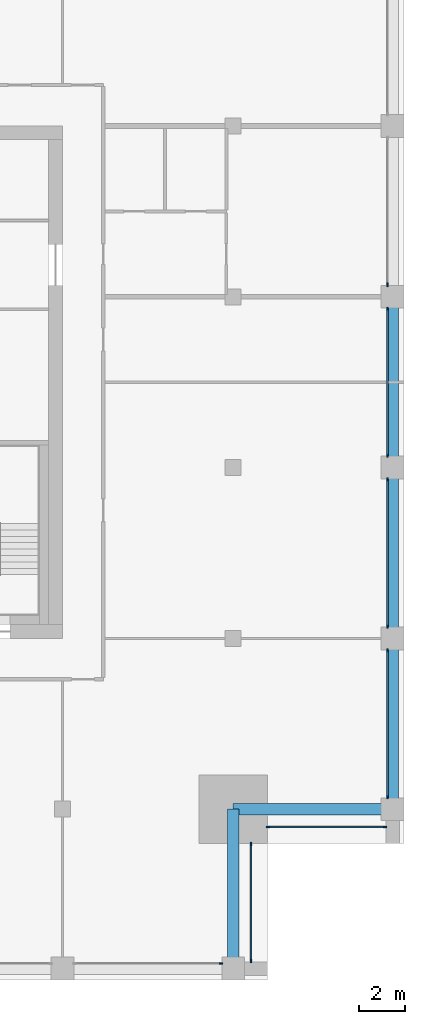
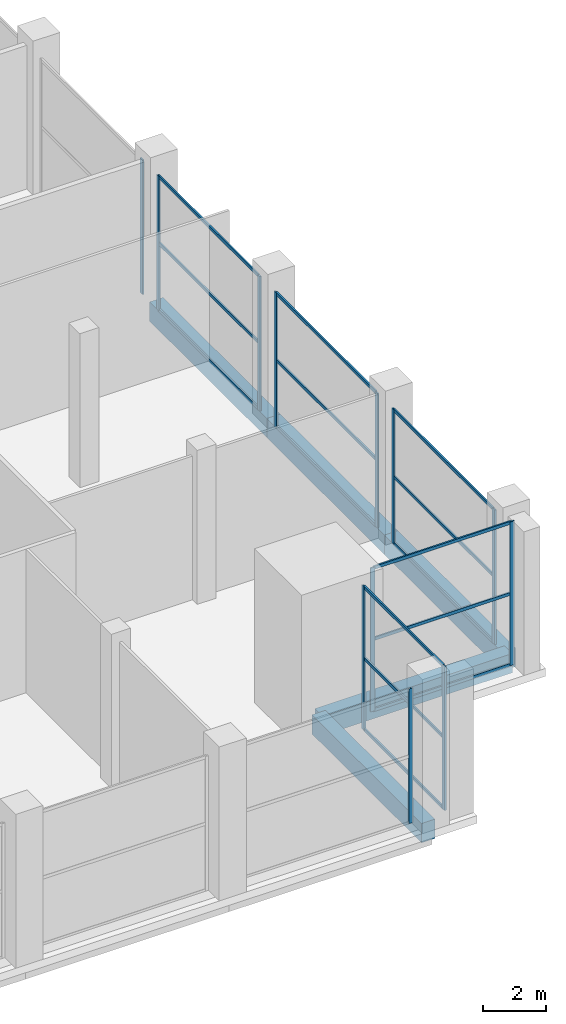
# One storey, part 4 of 15: 27 members, 5 beams, 7 elements without a shape of their own.
"""IFC4 building model written with IfcOpenShell, lengths in metres."""

from ifc_helpers import new_model, si_unit, direction, frame, origin, origin_2d, place, context, subcontext, project, spatial, rectangle, extrude, material, layer, layer_set, material_profile, profile_set, type_object, element, aggregate, save


model = new_model("IFC4")

# Units and contexts
model_context = context("Model", 3, precision=1e-05, world=origin(), true_north=direction((0.0, 1.0)))
body_context = subcontext(model_context, "Body", "Model", "MODEL_VIEW")
ifc_project = project(units=[si_unit("LENGTHUNIT", "METRE"), si_unit("AREAUNIT", "SQUARE_METRE"), si_unit("VOLUMEUNIT", "CUBIC_METRE"), si_unit("PLANEANGLEUNIT", "RADIAN"), si_unit("MASSUNIT", "GRAM", prefix="KILO")], contexts=[model_context])

# Site, building, storey
site_placement = place(None, origin())
site = spatial("IfcSite", under=ifc_project, at=site_placement, CompositionType="ELEMENT")
building_placement = place(site_placement, origin())
building = spatial("IfcBuilding", under=site, at=building_placement, Name="Tamorin Gate", CompositionType="ELEMENT")
storey_placement = place(building_placement, frame((0.0, 0.0, 308.699951171875)))
storey = spatial("IfcBuildingStorey", under=building, at=storey_placement, Name="L76", CompositionType="ELEMENT", Elevation=308.699951171875)

# Curtain wall, member
ifc_material_1 = material(Name="Aluminium mullions and transoms with clear glass", Category="aluminium")
ifc_layer = layer(ifc_material_1, 0.159912109375)
ifc_layer_set = layer_set([ifc_layer], Name="Curtain wall system CW4")
curtain_wall_type = type_object("IfcCurtainWallType", Name="Curtain wall system CW4", PredefinedType="NOTDEFINED", material=ifc_layer_set)
curtain_wall_1_placement = place(storey_placement, origin())
curtain_wall_1 = element("IfcCurtainWall", 1, at=curtain_wall_1_placement, inside=storey, type_object=curtain_wall_type, Name="Curtain wall", PredefinedType="NOTDEFINED")
ifc_material_2 = material(Name="Aluminium", Category="aluminium")
ifc_material_profile_1 = material_profile(ifc_material_2, rectangle(XDim=0.06005859375, YDim=0.159912109375, at=origin_2d()), Name="RECT 60x160")
ifc_profile_set_1 = profile_set([ifc_material_profile_1], Name="Aluminium")
member_type_1 = type_object("IfcMemberType", Name="Aluminium mullion 60x160", PredefinedType="MULLION", material=ifc_profile_set_1)
member_1_placement = place(storey_placement, frame((66.969970703125, 45.719970703125, 0.0), z_axis=(0.0, 0.0, 1.0), x_axis=(0.0, 1.0, 0.0)))
member_1 = element("IfcMember", 2, at=member_1_placement, type_object=member_type_1, Name="CW4 mullion 2", PredefinedType="MULLION", context=body_context, shape_type="SweptSolid", body=[
    extrude(rectangle(XDim=0.06005859375, YDim=0.159912109375, at=origin_2d()), origin(), (0.0, 0.0, 1.0), 5.25),
])
aggregate(curtain_wall_1, [member_1])

# Curtain wall, members
curtain_wall_2_placement = place(storey_placement, origin())
curtain_wall_2 = element("IfcCurtainWall", 3, at=curtain_wall_2_placement, inside=storey, type_object=curtain_wall_type, Name="Curtain wall", PredefinedType="NOTDEFINED")
member_2_placement = place(storey_placement, frame((68.280029296875, 45.830078125, 0.0), z_axis=(0.0, 0.0, 1.0), x_axis=(-1.0, 0.0, 0.0)))
member_2 = element("IfcMember", 4, at=member_2_placement, type_object=member_type_1, Name="CW4 mullion 1", PredefinedType="MULLION", context=body_context, shape_type="SweptSolid", body=[
    extrude(rectangle(XDim=0.06005859375, YDim=0.159912109375, at=origin_2d()), origin(), (0.0, 0.0, 1.0), 5.60009765625),
])
member_3_placement = place(storey_placement, frame((68.280029296875, 50.969970703125, 0.0), z_axis=(0.0, 0.0, 1.0), x_axis=(-1.0, 0.0, 0.0)))
member_3 = element("IfcMember", 5, at=member_3_placement, type_object=member_type_1, Name="CW4 mullion 2", PredefinedType="MULLION", context=body_context, shape_type="SweptSolid", body=[
    extrude(rectangle(XDim=0.06005859375, YDim=0.159912109375, at=origin_2d()), origin(), (0.0, 0.0, 1.0), 5.60009765625),
])

curtain_wall_3_placement = place(storey_placement, origin())
curtain_wall_3 = element("IfcCurtainWall", 6, at=curtain_wall_3_placement, inside=storey, type_object=curtain_wall_type, Name="Curtain wall", PredefinedType="NOTDEFINED")
member_4_placement = place(storey_placement, frame((69.030029296875, 51.719970703125, 0.0), z_axis=(0.0, 0.0, 1.0), x_axis=(0.0, 1.0, 0.0)))
member_4 = element("IfcMember", 7, at=member_4_placement, type_object=member_type_1, Name="CW4 mullion 1", PredefinedType="MULLION", context=body_context, shape_type="SweptSolid", body=[
    extrude(rectangle(XDim=0.06005859375, YDim=0.159912109375, at=origin_2d()), origin(), (0.0, 0.0, 1.0), 5.60009765625),
])
member_5_placement = place(storey_placement, frame((74.169921875, 51.719970703125, 0.0), z_axis=(0.0, 0.0, 1.0), x_axis=(0.0, 1.0, 0.0)))
member_5 = element("IfcMember", 8, at=member_5_placement, type_object=member_type_1, Name="CW4 mullion 2", PredefinedType="MULLION", context=body_context, shape_type="SweptSolid", body=[
    extrude(rectangle(XDim=0.06005859375, YDim=0.159912109375, at=origin_2d()), origin(), (0.0, 0.0, 1.0), 5.60009765625),
])

curtain_wall_4_placement = place(storey_placement, origin())
curtain_wall_4 = element("IfcCurtainWall", 9, at=curtain_wall_4_placement, inside=storey, type_object=curtain_wall_type, Name="Curtain wall", PredefinedType="NOTDEFINED")
member_6_placement = place(storey_placement, frame((74.280029296875, 53.030029296875, 0.0), z_axis=(0.0, 0.0, 1.0), x_axis=(-1.0, 0.0, 0.0)))
member_6 = element("IfcMember", 10, at=member_6_placement, type_object=member_type_1, Name="CW4 mullion 1", PredefinedType="MULLION", context=body_context, shape_type="SweptSolid", body=[
    extrude(rectangle(XDim=0.06005859375, YDim=0.159912109375, at=origin_2d()), origin(), (0.0, 0.0, 1.0), 5.25),
])
member_7_placement = place(storey_placement, frame((74.280029296875, 59.469970703125, 0.0), z_axis=(0.0, 0.0, 1.0), x_axis=(-1.0, 0.0, 0.0)))
member_7 = element("IfcMember", 11, at=member_7_placement, type_object=member_type_1, Name="CW4 mullion 2", PredefinedType="MULLION", context=body_context, shape_type="SweptSolid", body=[
    extrude(rectangle(XDim=0.06005859375, YDim=0.159912109375, at=origin_2d()), origin(), (0.0, 0.0, 1.0), 5.25),
])

curtain_wall_5_placement = place(storey_placement, origin())
curtain_wall_5 = element("IfcCurtainWall", 12, at=curtain_wall_5_placement, inside=storey, type_object=curtain_wall_type, Name="Curtain wall", PredefinedType="NOTDEFINED")
member_8_placement = place(storey_placement, frame((74.280029296875, 60.530029296875, 0.0), z_axis=(0.0, 0.0, 1.0), x_axis=(-1.0, 0.0, 0.0)))
member_8 = element("IfcMember", 13, at=member_8_placement, type_object=member_type_1, Name="CW4 mullion 1", PredefinedType="MULLION", context=body_context, shape_type="SweptSolid", body=[
    extrude(rectangle(XDim=0.06005859375, YDim=0.159912109375, at=origin_2d()), origin(), (0.0, 0.0, 1.0), 5.25),
])
member_9_placement = place(storey_placement, frame((74.280029296875, 66.969970703125, 0.0), z_axis=(0.0, 0.0, 1.0), x_axis=(-1.0, 0.0, 0.0)))
member_9 = element("IfcMember", 14, at=member_9_placement, type_object=member_type_1, Name="CW4 mullion 2", PredefinedType="MULLION", context=body_context, shape_type="SweptSolid", body=[
    extrude(rectangle(XDim=0.06005859375, YDim=0.159912109375, at=origin_2d()), origin(), (0.0, 0.0, 1.0), 5.25),
])

curtain_wall_6_placement = place(storey_placement, origin())
curtain_wall_6 = element("IfcCurtainWall", 15, at=curtain_wall_6_placement, inside=storey, type_object=curtain_wall_type, Name="Curtain wall", PredefinedType="NOTDEFINED")
member_10_placement = place(storey_placement, frame((74.280029296875, 68.030029296875, 0.0), z_axis=(0.0, 0.0, 1.0), x_axis=(-1.0, 0.0, 0.0)))
member_10 = element("IfcMember", 16, at=member_10_placement, type_object=member_type_1, Name="CW4 mullion 1", PredefinedType="MULLION", context=body_context, shape_type="SweptSolid", body=[
    extrude(rectangle(XDim=0.06005859375, YDim=0.159912109375, at=origin_2d()), origin(), (0.0, 0.0, 1.0), 5.25),
])
member_11_placement = place(storey_placement, frame((74.280029296875, 74.469970703125, 0.0), z_axis=(0.0, 0.0, 1.0), x_axis=(-1.0, 0.0, 0.0)))
member_11 = element("IfcMember", 17, at=member_11_placement, type_object=member_type_1, Name="CW4 mullion 2", PredefinedType="MULLION", context=body_context, shape_type="SweptSolid", body=[
    extrude(rectangle(XDim=0.06005859375, YDim=0.159912109375, at=origin_2d()), origin(), (0.0, 0.0, 1.0), 5.25),
])

# Curtain wall, member
curtain_wall_7_placement = place(storey_placement, origin())
curtain_wall_7 = element("IfcCurtainWall", 18, at=curtain_wall_7_placement, inside=storey, type_object=curtain_wall_type, Name="Curtain wall", PredefinedType="NOTDEFINED")
member_12_placement = place(storey_placement, frame((74.280029296875, 75.530029296875, 0.0), z_axis=(0.0, 0.0, 1.0), x_axis=(-1.0, 0.0, 0.0)))
member_12 = element("IfcMember", 19, at=member_12_placement, type_object=member_type_1, Name="CW4 mullion 1", PredefinedType="MULLION", context=body_context, shape_type="SweptSolid", body=[
    extrude(rectangle(XDim=0.06005859375, YDim=0.159912109375, at=origin_2d()), origin(), (0.0, 0.0, 1.0), 5.25),
])
aggregate(curtain_wall_7, [member_12])

# Member
ifc_material_profile_2 = material_profile(ifc_material_2, rectangle(XDim=0.06005859375, YDim=0.1201171875, at=origin_2d()), Name="RECT 60x120")
ifc_profile_set_2 = profile_set([ifc_material_profile_2], Name="Aluminium")
member_type_2 = type_object("IfcMemberType", Name="Aluminium transom 60x120", PredefinedType="USERDEFINED", material=ifc_profile_set_2)
member_13_placement = place(storey_placement, frame((68.280029296875, 45.860107421875, 0.030029296875), z_axis=(0.0, 1.0, 0.0), x_axis=(-1.0, 0.0, 0.0)))
member_13 = element("IfcMember", 20, at=member_13_placement, type_object=member_type_2, Name="CW4 transom 1.1", ObjectType="TRANSOM", PredefinedType="USERDEFINED", context=body_context, shape_type="SweptSolid", body=[
    extrude(rectangle(XDim=0.06005859375, YDim=0.1201171875, at=origin_2d()), origin(), (0.0, 0.0, 1.0), 5.079833984375),
])

member_14_placement = place(storey_placement, frame((68.280029296875, 45.860107421875, 2.800048828125), z_axis=(0.0, 1.0, 0.0), x_axis=(-1.0, 0.0, 0.0)))
member_14 = element("IfcMember", 21, at=member_14_placement, type_object=member_type_2, Name="CW4 transom 1.2", ObjectType="TRANSOM", PredefinedType="USERDEFINED", context=body_context, shape_type="SweptSolid", body=[
    extrude(rectangle(XDim=0.06005859375, YDim=0.1201171875, at=origin_2d()), origin(), (0.0, 0.0, 1.0), 5.079833984375),
])

member_15_placement = place(storey_placement, frame((68.280029296875, 45.860107421875, 5.570068359375), z_axis=(0.0, 1.0, 0.0), x_axis=(-1.0, 0.0, 0.0)))
member_15 = element("IfcMember", 22, at=member_15_placement, type_object=member_type_2, Name="CW4 transom 1.3", ObjectType="TRANSOM", PredefinedType="USERDEFINED", context=body_context, shape_type="SweptSolid", body=[
    extrude(rectangle(XDim=0.06005859375, YDim=0.1201171875, at=origin_2d()), origin(), (0.0, 0.0, 1.0), 5.079833984375),
])

aggregate(curtain_wall_2, [member_2, member_3, member_13, member_14, member_15])

member_16_placement = place(storey_placement, frame((69.06005859375, 51.719970703125, 0.030029296875), z_axis=(1.0, 0.0, 0.0), x_axis=(0.0, 1.0, 0.0)))
member_16 = element("IfcMember", 23, at=member_16_placement, type_object=member_type_2, Name="CW4 transom 1.1", ObjectType="TRANSOM", PredefinedType="USERDEFINED", context=body_context, shape_type="SweptSolid", body=[
    extrude(rectangle(XDim=0.06005859375, YDim=0.1201171875, at=origin_2d()), origin(), (0.0, 0.0, 1.0), 5.079833984375),
])

member_17_placement = place(storey_placement, frame((69.06005859375, 51.719970703125, 2.800048828125), z_axis=(1.0, 0.0, 0.0), x_axis=(0.0, 1.0, 0.0)))
member_17 = element("IfcMember", 24, at=member_17_placement, type_object=member_type_2, Name="CW4 transom 1.2", ObjectType="TRANSOM", PredefinedType="USERDEFINED", context=body_context, shape_type="SweptSolid", body=[
    extrude(rectangle(XDim=0.06005859375, YDim=0.1201171875, at=origin_2d()), origin(), (0.0, 0.0, 1.0), 5.079833984375),
])

member_18_placement = place(storey_placement, frame((69.06005859375, 51.719970703125, 5.570068359375), z_axis=(1.0, 0.0, 0.0), x_axis=(0.0, 1.0, 0.0)))
member_18 = element("IfcMember", 25, at=member_18_placement, type_object=member_type_2, Name="CW4 transom 1.3", ObjectType="TRANSOM", PredefinedType="USERDEFINED", context=body_context, shape_type="SweptSolid", body=[
    extrude(rectangle(XDim=0.06005859375, YDim=0.1201171875, at=origin_2d()), origin(), (0.0, 0.0, 1.0), 5.079833984375),
])

aggregate(curtain_wall_3, [member_4, member_5, member_16, member_17, member_18])

member_19_placement = place(storey_placement, frame((74.280029296875, 53.06005859375, 0.030029296875), z_axis=(0.0, 1.0, 0.0), x_axis=(-1.0, 0.0, 0.0)))
member_19 = element("IfcMember", 26, at=member_19_placement, type_object=member_type_2, Name="CW4 transom 1.1", ObjectType="TRANSOM", PredefinedType="USERDEFINED", context=body_context, shape_type="SweptSolid", body=[
    extrude(rectangle(XDim=0.06005859375, YDim=0.1201171875, at=origin_2d()), origin(), (0.0, 0.0, 1.0), 6.3798828125),
])

member_20_placement = place(storey_placement, frame((74.280029296875, 53.06005859375, 2.625), z_axis=(0.0, 1.0, 0.0), x_axis=(-1.0, 0.0, 0.0)))
member_20 = element("IfcMember", 27, at=member_20_placement, type_object=member_type_2, Name="CW4 transom 1.2", ObjectType="TRANSOM", PredefinedType="USERDEFINED", context=body_context, shape_type="SweptSolid", body=[
    extrude(rectangle(XDim=0.06005859375, YDim=0.1201171875, at=origin_2d()), origin(), (0.0, 0.0, 1.0), 6.3798828125),
])

member_21_placement = place(storey_placement, frame((74.280029296875, 53.06005859375, 5.219970703125), z_axis=(0.0, 1.0, 0.0), x_axis=(-1.0, 0.0, 0.0)))
member_21 = element("IfcMember", 28, at=member_21_placement, type_object=member_type_2, Name="CW4 transom 1.3", ObjectType="TRANSOM", PredefinedType="USERDEFINED", context=body_context, shape_type="SweptSolid", body=[
    extrude(rectangle(XDim=0.06005859375, YDim=0.1201171875, at=origin_2d()), origin(), (0.0, 0.0, 1.0), 6.3798828125),
])

aggregate(curtain_wall_4, [member_6, member_7, member_19, member_20, member_21])

member_22_placement = place(storey_placement, frame((74.280029296875, 60.56005859375, 0.030029296875), z_axis=(0.0, 1.0, 0.0), x_axis=(-1.0, 0.0, 0.0)))
member_22 = element("IfcMember", 29, at=member_22_placement, type_object=member_type_2, Name="CW4 transom 1.1", ObjectType="TRANSOM", PredefinedType="USERDEFINED", context=body_context, shape_type="SweptSolid", body=[
    extrude(rectangle(XDim=0.06005859375, YDim=0.1201171875, at=origin_2d()), origin(), (0.0, 0.0, 1.0), 6.3798828125),
])

member_23_placement = place(storey_placement, frame((74.280029296875, 60.56005859375, 2.625), z_axis=(0.0, 1.0, 0.0), x_axis=(-1.0, 0.0, 0.0)))
member_23 = element("IfcMember", 30, at=member_23_placement, type_object=member_type_2, Name="CW4 transom 1.2", ObjectType="TRANSOM", PredefinedType="USERDEFINED", context=body_context, shape_type="SweptSolid", body=[
    extrude(rectangle(XDim=0.06005859375, YDim=0.1201171875, at=origin_2d()), origin(), (0.0, 0.0, 1.0), 6.3798828125),
])

member_24_placement = place(storey_placement, frame((74.280029296875, 60.56005859375, 5.219970703125), z_axis=(0.0, 1.0, 0.0), x_axis=(-1.0, 0.0, 0.0)))
member_24 = element("IfcMember", 31, at=member_24_placement, type_object=member_type_2, Name="CW4 transom 1.3", ObjectType="TRANSOM", PredefinedType="USERDEFINED", context=body_context, shape_type="SweptSolid", body=[
    extrude(rectangle(XDim=0.06005859375, YDim=0.1201171875, at=origin_2d()), origin(), (0.0, 0.0, 1.0), 6.3798828125),
])

aggregate(curtain_wall_5, [member_8, member_9, member_22, member_23, member_24])

member_25_placement = place(storey_placement, frame((74.280029296875, 68.06005859375, 0.030029296875), z_axis=(0.0, 1.0, 0.0), x_axis=(-1.0, 0.0, 0.0)))
member_25 = element("IfcMember", 32, at=member_25_placement, type_object=member_type_2, Name="CW4 transom 1.1", ObjectType="TRANSOM", PredefinedType="USERDEFINED", context=body_context, shape_type="SweptSolid", body=[
    extrude(rectangle(XDim=0.06005859375, YDim=0.1201171875, at=origin_2d()), origin(), (0.0, 0.0, 1.0), 6.3798828125),
])

member_26_placement = place(storey_placement, frame((74.280029296875, 68.06005859375, 2.625), z_axis=(0.0, 1.0, 0.0), x_axis=(-1.0, 0.0, 0.0)))
member_26 = element("IfcMember", 33, at=member_26_placement, type_object=member_type_2, Name="CW4 transom 1.2", ObjectType="TRANSOM", PredefinedType="USERDEFINED", context=body_context, shape_type="SweptSolid", body=[
    extrude(rectangle(XDim=0.06005859375, YDim=0.1201171875, at=origin_2d()), origin(), (0.0, 0.0, 1.0), 6.3798828125),
])

member_27_placement = place(storey_placement, frame((74.280029296875, 68.06005859375, 5.219970703125), z_axis=(0.0, 1.0, 0.0), x_axis=(-1.0, 0.0, 0.0)))
member_27 = element("IfcMember", 34, at=member_27_placement, type_object=member_type_2, Name="CW4 transom 1.3", ObjectType="TRANSOM", PredefinedType="USERDEFINED", context=body_context, shape_type="SweptSolid", body=[
    extrude(rectangle(XDim=0.06005859375, YDim=0.1201171875, at=origin_2d()), origin(), (0.0, 0.0, 1.0), 6.3798828125),
])

aggregate(curtain_wall_6, [member_10, member_11, member_25, member_26, member_27])

# Beams
ifc_material_3 = material(Name="Concrete C50/60", Category="concrete")
ifc_material_profile_3 = material_profile(ifc_material_3, rectangle(XDim=0.5, YDim=0.75, at=origin_2d()), Name="RC 500x750")
ifc_profile_set_3 = profile_set([ifc_material_profile_3], Name="Concrete C50/60")
beam_type = type_object("IfcBeamType", Name="RC spandrel 500x750 C50/60", PredefinedType="BEAM", material=ifc_profile_set_3)
for number, where, z_axis, x_axis, name in (
    (35, (74.5, 52.5, -0.375), (0.0, 1.0, 0.0), (-1.0, 0.0, 0.0), "Spandrel beam L76"),
    (36, (74.5, 60.0, -0.375), (0.0, 1.0, 0.0), (-1.0, 0.0, 0.0), "Spandrel beam L76"),
    (37, (74.5, 67.5, -0.375), (0.0, 1.0, 0.0), (-1.0, 0.0, 0.0), "Spandrel beam L76"),
):
    element("IfcBeam", number, at=place(storey_placement, frame(where, z_axis=z_axis, x_axis=x_axis)), inside=storey, type_object=beam_type, Name=name, PredefinedType="BEAM", context=body_context, shape_type="SweptSolid", body=[
        extrude(rectangle(XDim=0.5, YDim=0.75, at=origin_2d()), origin(), (0.0, 0.0, 1.0), 7.5),
    ])
for number, where, z_axis, x_axis, name in (
    (38, (67.5, 52.5, -0.375), (0.0, -1.0, 0.0), (1.0, 0.0, 0.0), "Corner tie beam L76"),
    (39, (67.5, 52.5, -0.375), (1.0, 0.0, 0.0), (0.0, 1.0, 0.0), "Corner tie beam L76"),
):
    element("IfcBeam", number, at=place(storey_placement, frame(where, z_axis=z_axis, x_axis=x_axis)), inside=storey, type_object=beam_type, Name=name, PredefinedType="BEAM", context=body_context, shape_type="SweptSolid", body=[
        extrude(rectangle(XDim=0.5, YDim=0.75, at=origin_2d()), origin(), (0.0, 0.0, 1.0), 7.0),
    ])

save(model, "model.ifc")
